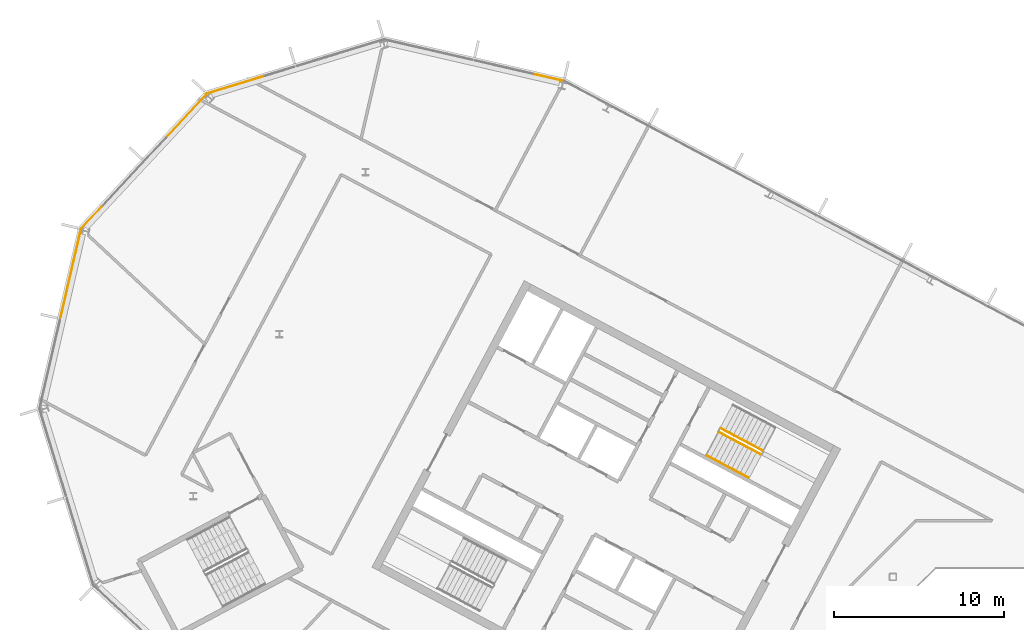
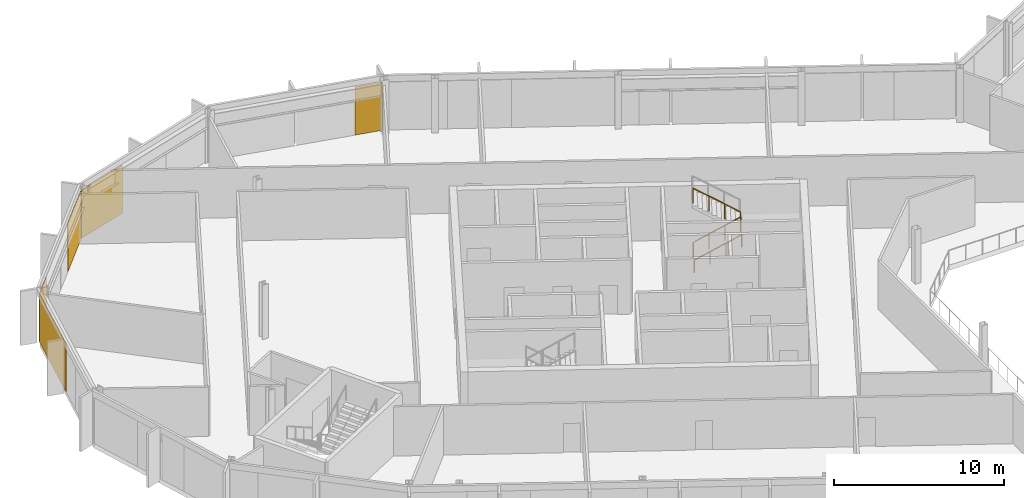
# One storey, part 22 of 26: 5 coverings, 3 railings, 4 elements without a shape of their own.
"""IFC4 building model written with IfcOpenShell, lengths in metres."""

from ifc_helpers import new_model, si_unit, direction, frame, origin, origin_2d, place, context, subcontext, project, spatial, polyline, rectangle, outline, extrude, material, layer, layer_set, type_object, element, aggregate, save


model = new_model("IFC4")

# Units and contexts
model_context = context("Model", 3, precision=1e-05, world=origin(), true_north=direction((0.0, 1.0)))
body_context = subcontext(model_context, "Body", "Model", "MODEL_VIEW")
ifc_project = project(units=[si_unit("LENGTHUNIT", "METRE"), si_unit("AREAUNIT", "SQUARE_METRE"), si_unit("VOLUMEUNIT", "CUBIC_METRE"), si_unit("PLANEANGLEUNIT", "RADIAN"), si_unit("MASSUNIT", "GRAM", prefix="KILO")], contexts=[model_context])

# Site, building, storey
site_placement = place(None, origin())
site = spatial("IfcSite", under=ifc_project, at=site_placement, CompositionType="ELEMENT")
building_placement = place(site_placement, origin())
building = spatial("IfcBuilding", under=site, at=building_placement, Name="Cormorant Relay Tower", CompositionType="ELEMENT")
storey_placement = place(building_placement, frame((0.0, 0.0, 304.800048828125)))
storey = spatial("IfcBuildingStorey", under=building, at=storey_placement, Name="L69", CompositionType="ELEMENT", Elevation=304.800048828125)

# Curtain wall, covering
ifc_material_1 = material(Name="Aluminium 6063-T6 anodised bronze", Category="aluminium")
ifc_layer_1 = layer(ifc_material_1, 0.199951171875)
ifc_layer_set_1 = layer_set([ifc_layer_1], Name="CW1 unitised bronze curtain wall with vertical fins")
curtain_wall_type = type_object("IfcCurtainWallType", Name="CW1 unitised bronze curtain wall with vertical fins", PredefinedType="NOTDEFINED", material=ifc_layer_set_1)
curtain_wall_1_placement = place(storey_placement, origin())
curtain_wall_1 = element("IfcCurtainWall", 1, at=curtain_wall_1_placement, inside=storey, type_object=curtain_wall_type, Name="CW1 curtain wall 10", PredefinedType="NOTDEFINED")
ifc_material_2 = material(Name="Pale bronze anodised aluminium insulated panel", Category="aluminium")
ifc_layer_2 = layer(ifc_material_2, 0.0400390625)
ifc_layer_set_2 = layer_set([ifc_layer_2], Name="CW1 pale bronze insulated panel 40")
covering_type = type_object("IfcCoveringType", Name="CW1 pale bronze insulated panel 40", PredefinedType="CLADDING", material=ifc_layer_set_2)
covering_1_placement = place(storey_placement, frame((-30.76318359375, 39.89404296875, 0.0), z_axis=(0.0, 0.0, 1.0), x_axis=(-0.974370064785, 0.224951054344, 0.0)))
covering_1 = element("IfcCovering", 2, at=covering_1_placement, type_object=covering_type, Name="CW1 panel S00", PredefinedType="CLADDING", context=body_context, shape_type="SweptSolid", body=[
    extrude(rectangle(XDim=1.685302734375, YDim=0.0400390625, at=origin_2d()), origin(), (0.0, 0.0, 1.0), 3.449951171875),
])
aggregate(curtain_wall_1, [covering_1])

curtain_wall_2_placement = place(storey_placement, origin())
curtain_wall_2 = element("IfcCurtainWall", 3, at=curtain_wall_2_placement, inside=storey, type_object=curtain_wall_type, Name="CW1 curtain wall 11", PredefinedType="NOTDEFINED")
covering_2_placement = place(storey_placement, frame((-49.16455078125, 39.474853515625, 0.0), z_axis=(0.0, 0.0, 1.0), x_axis=(-0.956304755963, -0.292371704723, 0.0)))
covering_2 = element("IfcCovering", 4, at=covering_2_placement, type_object=covering_type, Name="CW1 panel S03", PredefinedType="CLADDING", context=body_context, shape_type="SweptSolid", body=[
    extrude(rectangle(XDim=3.560302734375, YDim=0.0400390625, at=origin_2d()), origin(), (0.0, 0.0, 1.0), 3.449951171875),
])
aggregate(curtain_wall_2, [covering_2])

# Curtain wall, coverings
curtain_wall_3_placement = place(storey_placement, origin())
curtain_wall_3 = element("IfcCurtainWall", 5, at=curtain_wall_3_placement, inside=storey, type_object=curtain_wall_type, Name="CW1 curtain wall 12", PredefinedType="NOTDEFINED")
covering_3_placement = place(storey_placement, frame((-52.115234375, 37.61962890625, 0.0), z_axis=(0.0, 0.0, 1.0), x_axis=(-0.681998360062, -0.731353701619, 0.0)))
covering_3 = element("IfcCovering", 6, at=covering_3_placement, type_object=covering_type, Name="CW1 panel S00", PredefinedType="CLADDING", context=body_context, shape_type="SweptSolid", body=[
    extrude(rectangle(XDim=3.485107421875, YDim=0.0400390625, at=origin_2d()), origin(), (0.0, 0.0, 1.0), 3.449951171875),
])
covering_4_placement = place(storey_placement, frame((-57.68896484375, 31.642333984375, 0.0), z_axis=(0.0, 0.0, 1.0), x_axis=(-0.681998360062, -0.731353701619, 0.0)))
covering_4 = element("IfcCovering", 7, at=covering_4_placement, type_object=covering_type, Name="CW1 panel S03", PredefinedType="CLADDING", context=body_context, shape_type="SweptSolid", body=[
    extrude(rectangle(XDim=1.76025390625, YDim=0.0400390625, at=origin_2d()), origin(), (0.0, 0.0, 1.0), 3.449951171875),
])
aggregate(curtain_wall_3, [covering_3, covering_4])

# Curtain wall, covering
curtain_wall_4_placement = place(storey_placement, origin())
curtain_wall_4 = element("IfcCurtainWall", 8, at=curtain_wall_4_placement, inside=storey, type_object=curtain_wall_type, Name="CW1 curtain wall 13", PredefinedType="NOTDEFINED")
covering_5_placement = place(storey_placement, frame((-58.905517578125, 28.341796875, 0.0), z_axis=(0.0, 0.0, 1.0), x_axis=(-0.224951054344, -0.974370064785, 0.0)))
covering_5 = element("IfcCovering", 9, at=covering_5_placement, type_object=covering_type, Name="CW1 panel S00", PredefinedType="CLADDING", context=body_context, shape_type="SweptSolid", body=[
    extrude(rectangle(XDim=5.28515625, YDim=0.0400390625, at=origin_2d()), origin(), (0.0, 0.0, 1.0), 3.449951171875),
])
aggregate(curtain_wall_4, [covering_5])

# Railings
ifc_material_3 = material(Name="Steel ASTM A572 Grade 50 (Fy 345 MPa)", Category="steel")
railing_type_1 = type_object("IfcRailingType", Name="Stair guard 1100", PredefinedType="GUARDRAIL", material=ifc_material_3)
railing_1_placement = place(storey_placement, frame((-20.75048828125, 19.017822265625, 0.17724609375)))
element("IfcRailing", 10, at=railing_1_placement, inside=storey, type_object=railing_type_1, Name="L69 A1 stair guard 1", PredefinedType="GUARDRAIL", context=body_context, shape_type="SweptSolid", body=[
    extrude(outline(polyline([(0.022216796875, 0.00927734375), (0.00927734375, 0.022216796875), (-0.00927734375, 0.022216796875), (-0.022216796875, 0.00927734375), (-0.022216796875, -0.00927734375), (-0.00927734375, -0.022216796875), (0.00927734375, -0.022216796875), (0.022216796875, -0.00927734375), (0.022216796875, 0.00927734375)])), frame((0.0, 0.0, 1.076171875), z_axis=(0.746001213114, -0.396649272309, 0.534931345884), x_axis=(0.469465464807, 0.882950835185, 0.0)), (0.0, 0.0, 1.0), 3.31396484375),
    extrude(outline(polyline([(0.019287109375, 0.008056640625), (0.008056640625, 0.019287109375), (-0.008056640625, 0.019287109375), (-0.019287109375, 0.008056640625), (-0.019287109375, -0.008056640625), (-0.008056640625, -0.019287109375), (0.008056640625, -0.019287109375), (0.019287109375, -0.008056640625), (0.019287109375, 0.008056640625)])), origin(), (0.0, 0.0, 1.0), 1.052001953125),
    extrude(outline(polyline([(0.019287109375, 0.008056640625), (0.008056640625, 0.019287109375), (-0.008056640625, 0.019287109375), (-0.019287109375, 0.008056640625), (-0.019287109375, -0.008056640625), (-0.008056640625, -0.019287109375), (0.008056640625, -0.019287109375), (0.019287109375, -0.008056640625), (0.019287109375, 0.008056640625)])), frame((0.823974609375, -0.438232421875, 0.5908203125)), (0.0, 0.0, 1.0), 1.052001953125),
    extrude(outline(polyline([(0.019287109375, 0.008056640625), (0.008056640625, 0.019287109375), (-0.008056640625, 0.019287109375), (-0.019287109375, 0.008056640625), (-0.019287109375, -0.008056640625), (-0.008056640625, -0.019287109375), (0.008056640625, -0.019287109375), (0.019287109375, -0.008056640625), (0.019287109375, 0.008056640625)])), frame((1.648193359375, -0.876220703125, 1.181884765625)), (0.0, 0.0, 1.0), 1.052001953125),
    extrude(outline(polyline([(0.019287109375, 0.008056640625), (0.008056640625, 0.019287109375), (-0.008056640625, 0.019287109375), (-0.019287109375, 0.008056640625), (-0.019287109375, -0.008056640625), (-0.008056640625, -0.019287109375), (0.008056640625, -0.019287109375), (0.019287109375, -0.008056640625), (0.019287109375, 0.008056640625)])), frame((2.47216796875, -1.314453125, 1.772705078125)), (0.0, 0.0, 1.0), 1.052001953125),
])
railing_2_placement = place(storey_placement, frame((-18.160888671875, 17.924072265625, 2.127197265625)))
element("IfcRailing", 11, at=railing_2_placement, inside=storey, type_object=railing_type_1, Name="L69 A1 stair guard 3", PredefinedType="GUARDRAIL", context=body_context, shape_type="SweptSolid", body=[
    extrude(outline(polyline([(0.022216796875, 0.00927734375), (0.00927734375, 0.022216796875), (-0.00927734375, 0.022216796875), (-0.022216796875, 0.00927734375), (-0.022216796875, -0.00927734375), (-0.00927734375, -0.022216796875), (0.00927734375, -0.022216796875), (0.022216796875, -0.00927734375), (0.022216796875, 0.00927734375)])), frame((0.0, 0.0, 1.076171875), z_axis=(-0.746033882577, 0.396627473466, 0.534901947407), x_axis=(-0.469429322983, -0.882970050864, 0.0)), (0.0, 0.0, 1.0), 3.31396484375),
    extrude(outline(polyline([(0.019287109375, 0.008056640625), (0.008056640625, 0.019287109375), (-0.008056640625, 0.019287109375), (-0.019287109375, 0.008056640625), (-0.019287109375, -0.008056640625), (-0.008056640625, -0.019287109375), (0.008056640625, -0.019287109375), (0.019287109375, -0.008056640625), (0.019287109375, 0.008056640625)])), origin(), (0.0, 0.0, 1.0), 1.052001953125),
    extrude(outline(polyline([(0.019287109375, 0.008056640625), (0.008056640625, 0.019287109375), (-0.008056640625, 0.019287109375), (-0.019287109375, 0.008056640625), (-0.019287109375, -0.008056640625), (-0.008056640625, -0.019287109375), (0.008056640625, -0.019287109375), (0.019287109375, -0.008056640625), (0.019287109375, 0.008056640625)])), frame((-0.82421875, 0.438232421875, 0.5908203125)), (0.0, 0.0, 1.0), 1.052001953125),
    extrude(outline(polyline([(0.019287109375, 0.008056640625), (0.008056640625, 0.019287109375), (-0.008056640625, 0.019287109375), (-0.019287109375, 0.008056640625), (-0.019287109375, -0.008056640625), (-0.008056640625, -0.019287109375), (0.008056640625, -0.019287109375), (0.019287109375, -0.008056640625), (0.019287109375, 0.008056640625)])), frame((-1.648193359375, 0.876220703125, 1.181884765625)), (0.0, 0.0, 1.0), 1.052001953125),
    extrude(outline(polyline([(0.019287109375, 0.008056640625), (0.008056640625, 0.019287109375), (-0.008056640625, 0.019287109375), (-0.019287109375, 0.008056640625), (-0.019287109375, -0.008056640625), (-0.008056640625, -0.019287109375), (0.008056640625, -0.019287109375), (0.019287109375, -0.008056640625), (0.019287109375, 0.008056640625)])), frame((-2.472412109375, 1.314453125, 1.772705078125)), (0.0, 0.0, 1.0), 1.052001953125),
])
ifc_material_4 = material(Name="Steel ASTM A572 Grade 50 (Fy 345 MPa)", Category="steel")
railing_type_2 = type_object("IfcRailingType", Name="Stair handrail 900", PredefinedType="HANDRAIL", material=ifc_material_4)
railing_3_placement = place(storey_placement, frame((-21.478271484375, 17.6494140625, 0.17724609375)))
element("IfcRailing", 12, at=railing_3_placement, inside=storey, type_object=railing_type_2, Name="L69 A1 stair handrail 1", PredefinedType="HANDRAIL", context=body_context, shape_type="SweptSolid", body=[
    extrude(outline(polyline([(0.022216796875, 0.00927734375), (0.00927734375, 0.022216796875), (-0.00927734375, 0.022216796875), (-0.022216796875, 0.00927734375), (-0.022216796875, -0.00927734375), (-0.00927734375, -0.022216796875), (0.00927734375, -0.022216796875), (0.022216796875, -0.00927734375), (0.022216796875, 0.00927734375)])), frame((0.0, 0.0, 0.8759765625), z_axis=(0.746012083385, -0.396689549623, 0.534886317514), x_axis=(0.469497295046, 0.882933910293, 0.0)), (0.0, 0.0, 1.0), 3.314208984375),
    extrude(outline(polyline([(0.019287109375, 0.008056640625), (0.008056640625, 0.019287109375), (-0.008056640625, 0.019287109375), (-0.019287109375, 0.008056640625), (-0.019287109375, -0.008056640625), (-0.008056640625, -0.019287109375), (0.008056640625, -0.019287109375), (0.019287109375, -0.008056640625), (0.019287109375, 0.008056640625)])), origin(), (0.0, 0.0, 1.0), 0.851806640625),
    extrude(outline(polyline([(0.019287109375, 0.008056640625), (0.008056640625, 0.019287109375), (-0.008056640625, 0.019287109375), (-0.019287109375, 0.008056640625), (-0.019287109375, -0.008056640625), (-0.008056640625, -0.019287109375), (0.008056640625, -0.019287109375), (0.019287109375, -0.008056640625), (0.019287109375, 0.008056640625)])), frame((0.82421875, -0.438232421875, 0.5908203125)), (0.0, 0.0, 1.0), 0.851806640625),
    extrude(outline(polyline([(0.019287109375, 0.008056640625), (0.008056640625, 0.019287109375), (-0.008056640625, 0.019287109375), (-0.019287109375, 0.008056640625), (-0.019287109375, -0.008056640625), (-0.008056640625, -0.019287109375), (0.008056640625, -0.019287109375), (0.019287109375, -0.008056640625), (0.019287109375, 0.008056640625)])), frame((1.648193359375, -0.87646484375, 1.181884765625)), (0.0, 0.0, 1.0), 0.851806640625),
    extrude(outline(polyline([(0.019287109375, 0.008056640625), (0.008056640625, 0.019287109375), (-0.008056640625, 0.019287109375), (-0.019287109375, 0.008056640625), (-0.019287109375, -0.008056640625), (-0.008056640625, -0.019287109375), (0.008056640625, -0.019287109375), (0.019287109375, -0.008056640625), (0.019287109375, 0.008056640625)])), frame((2.472412109375, -1.314697265625, 1.772705078125)), (0.0, 0.0, 1.0), 0.851806640625),
])

save(model, "model.ifc")
